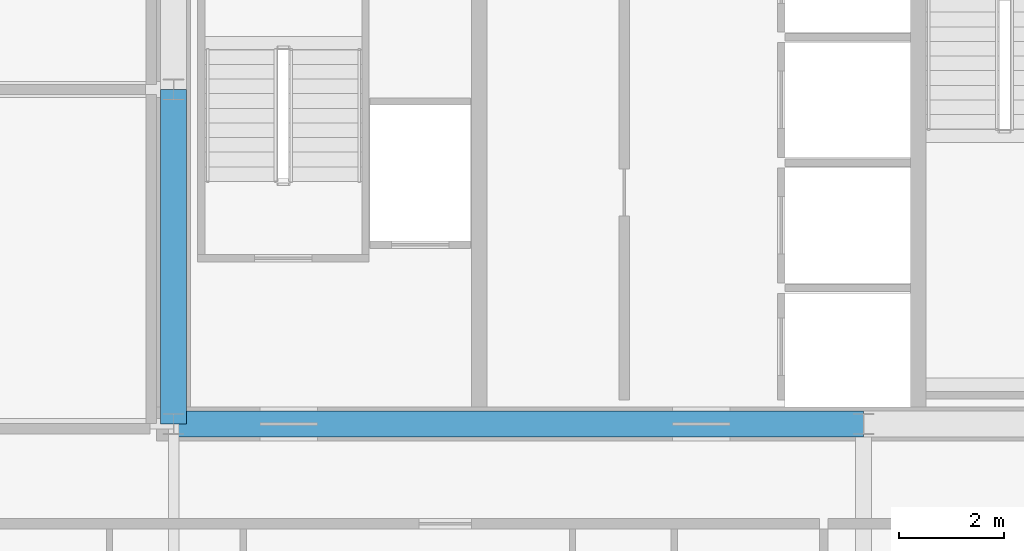
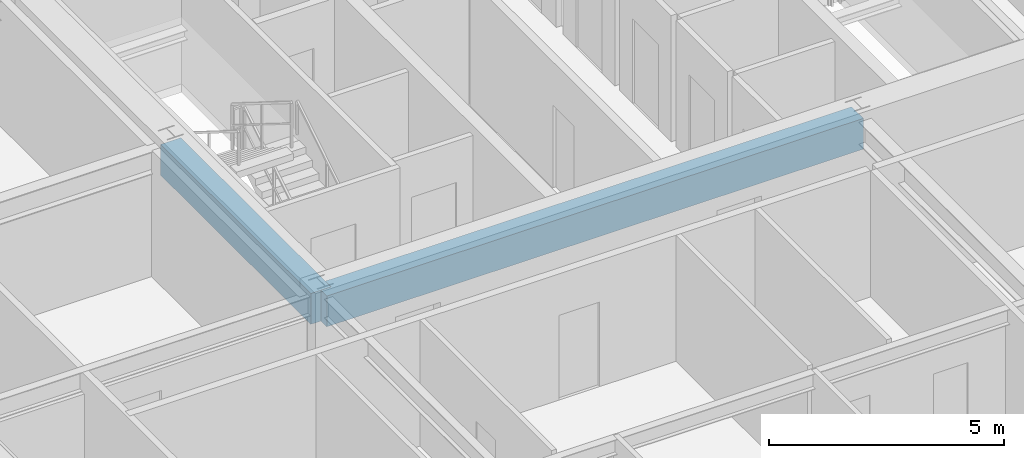
# One storey, part 17 of 45: 2 beams.
"""IFC4 building model written with IfcOpenShell, lengths in metres."""

from ifc_helpers import new_model, si_unit, direction, frame, origin, origin_2d, place, context, subcontext, project, spatial, rectangle, extrude, source, transform, mapped, material, material_profile, profile_set, type_object, element, save


model = new_model("IFC4")

# Units and contexts
model_context = context("Model", 3, precision=1e-05, world=origin(), true_north=direction((0.0, 1.0)))
body_context = subcontext(model_context, "Body", "Model", "MODEL_VIEW")
ifc_project = project(units=[si_unit("LENGTHUNIT", "METRE"), si_unit("AREAUNIT", "SQUARE_METRE"), si_unit("VOLUMEUNIT", "CUBIC_METRE"), si_unit("PLANEANGLEUNIT", "RADIAN"), si_unit("MASSUNIT", "GRAM", prefix="KILO"), si_unit("THERMODYNAMICTEMPERATUREUNIT", "KELVIN"), si_unit("POWERUNIT", "WATT")], contexts=[model_context])

# Site, building, storey
site_placement = place(None, origin())
site = spatial("IfcSite", under=ifc_project, at=site_placement, CompositionType="ELEMENT")
building_placement = place(site_placement, origin())
building = spatial("IfcBuilding", under=site, at=building_placement, Name="Yuzanri Waterfront Tower", CompositionType="ELEMENT")
storey_placement = place(building_placement, frame((0.0, 0.0, 191.5)))
storey = spatial("IfcBuildingStorey", under=building, at=storey_placement, Name="L50", CompositionType="ELEMENT", Elevation=191.5)

# Beams
ifc_material = material(Name="Concrete C50", Category="concrete")
ifc_material_profile = material_profile(ifc_material, rectangle(XDim=0.5, YDim=0.800048828125, at=origin_2d()), Name="RC 500x800")
ifc_profile_set = profile_set([ifc_material_profile], Name="Concrete C50")
beam_type = type_object("IfcBeamType", Name="Core Coupling Lintel Concrete C50 500x800", PredefinedType="LINTEL", material=ifc_profile_set)
shared_shape_1 = source(origin(), body_context, "Body", "SweptSolid", [
    extrude(rectangle(XDim=0.5, YDim=0.800048828125, at=origin_2d()), origin(), (0.0, 0.0, 1.0), 13.199951171875),
])
beam_1_placement = place(storey_placement, frame((23.800048828125, 19.39990234375, 2.8798828125), z_axis=(1.0, 0.0, 0.0), x_axis=(0.0, 1.0, 0.0)))
element("IfcBeam", 1, at=beam_1_placement, inside=storey, type_object=beam_type, Name="L50 Core Tie Beam CS1", PredefinedType="LINTEL", context=body_context, shape_type="MappedRepresentation", body=[
    mapped(shared_shape_1, transform((0.0, 0.0, 0.0), scale=1.0)),
])
shared_shape_2 = source(origin(), body_context, "Body", "SweptSolid", [
    extrude(rectangle(XDim=0.5, YDim=0.800048828125, at=origin_2d()), origin(), (0.0, 0.0, 1.0), 6.400146484375),
])
beam_2_placement = place(storey_placement, frame((23.800048828125, 19.39990234375, 2.8798828125), z_axis=(0.0, 1.0, 0.0), x_axis=(-1.0, 0.0, 0.0)))
element("IfcBeam", 2, at=beam_2_placement, inside=storey, type_object=beam_type, Name="L50 Core Tie Beam CW1", PredefinedType="LINTEL", context=body_context, shape_type="MappedRepresentation", body=[
    mapped(shared_shape_2, transform((0.0, 0.0, 0.0), scale=1.0)),
])

save(model, "model.ifc")
